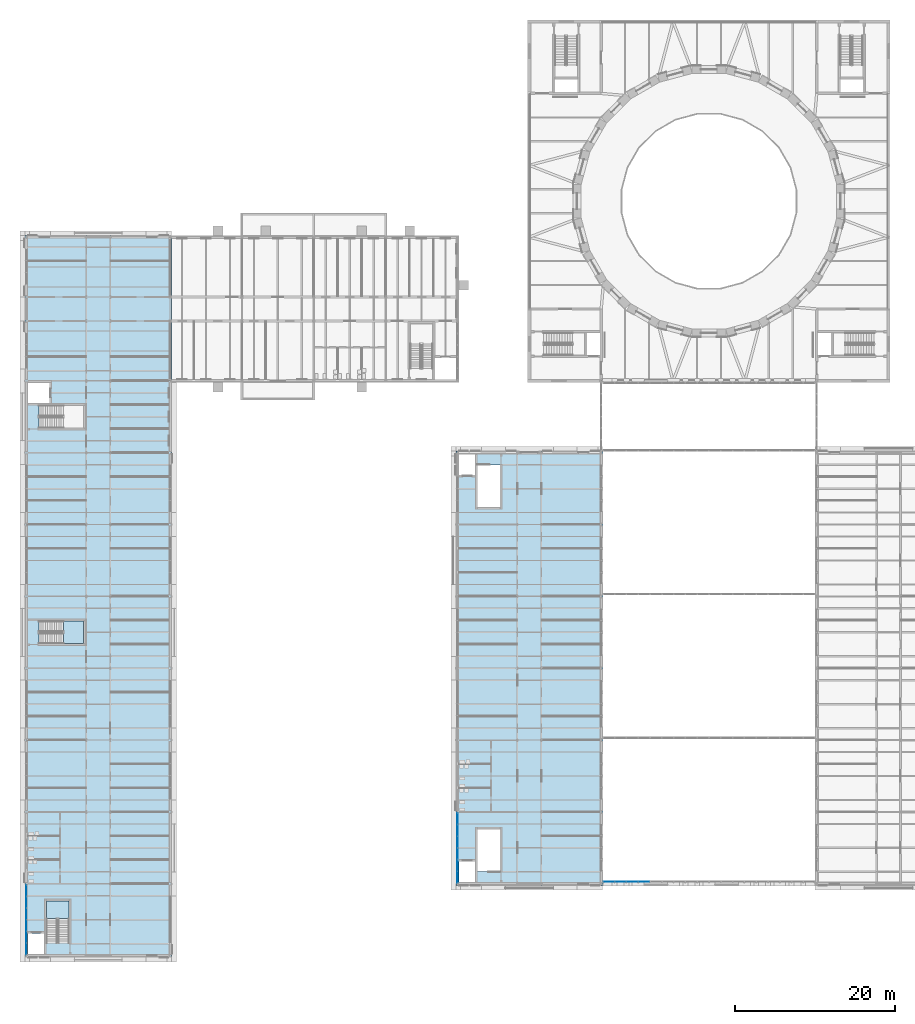
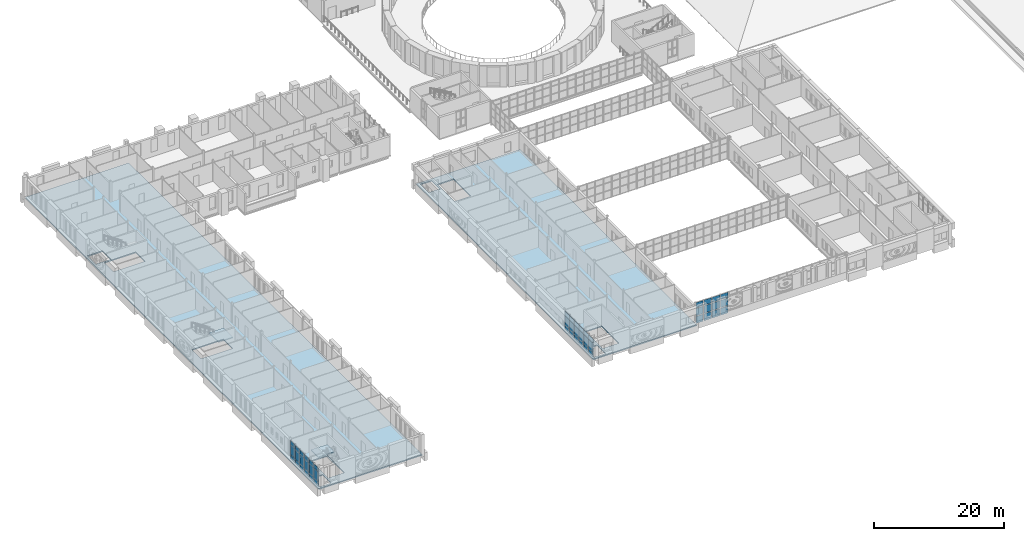
# One storey, part 87 of 154: 48 plates, 4 slabs, 5 elements without a shape of their own.
"""IFC4 building model written with IfcOpenShell, lengths in metres."""

import ifcopenshell
import ifcopenshell.guid

model = None  # the IFC model being written
_history = None  # IfcOwnerHistory: only IFC2X3 demands one
_inside = {}  # id of a spatial element -> (the spatial element, [elements in it])
_under = {}  # id of a project, library or spatial element -> (it, [spatial elements below it])
_declared = {}  # id of a project -> (the project, [libraries it declares])
_typed = {}  # id of a type object -> (the type object, [elements of that type])
_made_of = {}  # id of a material, layer set ... -> (it, [elements and type objects made of it])


def new_model(schema):
    """Start an empty IFC model of exactly this schema.

    Asked for "IFC4X3", IfcOpenShell would pick the latest addendum, in which some entities
    have other attributes; the version numbers below select the first issue.
    IFC2X3 requires an IfcOwnerHistory on every rooted entity: one is made here for all.
    """
    global model, _history
    if schema == "IFC4X3":
        model = ifcopenshell.file(schema_version=(4, 3, 0, 0))
    else:
        model = ifcopenshell.file(schema=schema)
    _inside.clear()
    _under.clear()
    _declared.clear()
    _typed.clear()
    _made_of.clear()
    _history = None
    if model.schema == "IFC2X3":
        org = make("IfcOrganization", Name="unknown")
        user = make(
            "IfcPersonAndOrganization",
            ThePerson=make("IfcPerson", FamilyName="unknown"),
            TheOrganization=org,
        )
        app = make(
            "IfcApplication",
            ApplicationDeveloper=org,
            Version="unknown",
            ApplicationFullName="unknown",
            ApplicationIdentifier="unknown",
        )
        _history = make(
            "IfcOwnerHistory",
            OwningUser=user,
            OwningApplication=app,
            ChangeAction="ADDED",
            CreationDate=0,
        )
    return model


def make(cls, **values):
    """One entity of the class cls with the attributes given. An attribute that is None is left unset."""
    return model.create_entity(
        cls, **{name: value for name, value in values.items() if value is not None}
    )


def rooted(cls, **values):
    """An entity with a GlobalId (a new one), such as an element, a storey or a relation."""
    return make(cls, GlobalId=ifcopenshell.guid.new(), OwnerHistory=_history, **values)


def si_unit(unit_type, name, prefix=None):
    """IfcSIUnit, for example si_unit("LENGTHUNIT", "METRE", prefix="MILLI")."""
    return make("IfcSIUnit", UnitType=unit_type, Prefix=prefix, Name=name)


def assignment(units):
    """IfcUnitAssignment: the units of a project."""
    return None if units is None else make("IfcUnitAssignment", Units=units)


def point(xyz):
    """IfcCartesianPoint."""
    return None if xyz is None else make("IfcCartesianPoint", Coordinates=xyz)


def direction(xyz):
    """IfcDirection."""
    return None if xyz is None else make("IfcDirection", DirectionRatios=xyz)


def frame(location, z_axis=None, x_axis=None):
    """IfcAxis2Placement3D, a coordinate frame: its origin and axes. An axis left out is left unset."""
    return make(
        "IfcAxis2Placement3D",
        Location=point(location),
        Axis=direction(z_axis),
        RefDirection=direction(x_axis),
    )


def frame_2d(location, x_axis=None):
    """IfcAxis2Placement2D, a coordinate frame in the plane: its origin and x axis."""
    return make(
        "IfcAxis2Placement2D", Location=point(location), RefDirection=direction(x_axis)
    )


def origin():
    """The frame at (0, 0, 0) with its axes left unset."""
    return frame((0.0, 0.0, 0.0))


def origin_2d():
    """The frame at (0, 0) in the plane with its x axis left unset."""
    return frame_2d((0.0, 0.0))


def place(relative_to, where):
    """IfcLocalPlacement: puts the frame where relative to a parent placement (None: the world)."""
    return make(
        "IfcLocalPlacement", PlacementRelTo=relative_to, RelativePlacement=where
    )


def context(
    kind, dimensions, precision=None, world=None, true_north=None, identifier=None
):
    """IfcGeometricRepresentationContext, for example the 3D "Model" context."""
    return make(
        "IfcGeometricRepresentationContext",
        ContextIdentifier=identifier,
        ContextType=kind,
        CoordinateSpaceDimension=dimensions,
        Precision=precision,
        WorldCoordinateSystem=world,
        TrueNorth=true_north,
    )


def subcontext(parent, identifier, kind, view, scale=None):
    """IfcGeometricRepresentationSubContext, for example "Body" below "Model"."""
    return make(
        "IfcGeometricRepresentationSubContext",
        ContextIdentifier=identifier,
        ContextType=kind,
        ParentContext=parent,
        TargetScale=scale,
        TargetView=view,
    )


def project(units=None, contexts=None):
    """IfcProject with its units and contexts."""
    return rooted(
        "IfcProject",
        Name="project",
        RepresentationContexts=contexts,
        UnitsInContext=assignment(units),
    )


def spatial(cls, under=None, at=None, **own):
    """A site, building, storey or space (cls), placed at a placement, below another one or the project."""
    s = rooted(cls, ObjectPlacement=at, **own)
    if under is not None:
        _under.setdefault(under.id(), (under, []))[1].append(s)
    return s


def polyline(points):
    """IfcPolyline through the points."""
    return make("IfcPolyline", Points=[point(p) for p in points])


def profile(cls, at=None, kind="AREA", **sizes):
    """A parametric profile (cls). Its sizes go by their IFC names, for example OverallWidth=200.0."""
    return make(cls, ProfileType=kind, Position=at, **sizes)


def rectangle(**sizes):
    """IfcRectangleProfileDef."""
    return profile("IfcRectangleProfileDef", **sizes)


def outline(outer, holes=None, kind="AREA"):
    """IfcArbitraryClosedProfileDef: a profile drawn as a closed curve; with holes, ...WithVoids."""
    if holes is None:
        return make("IfcArbitraryClosedProfileDef", ProfileType=kind, OuterCurve=outer)
    return make(
        "IfcArbitraryProfileDefWithVoids",
        ProfileType=kind,
        OuterCurve=outer,
        InnerCurves=holes,
    )


def extrude(swept, where, along, depth):
    """IfcExtrudedAreaSolid: the profile swept, set in the frame where, extruded along a direction by depth."""
    return make(
        "IfcExtrudedAreaSolid",
        SweptArea=swept,
        Position=where,
        ExtrudedDirection=direction(along),
        Depth=depth,
    )


def shape(context_of_items, identifier, shape_type, items):
    """IfcShapeRepresentation: the items that make up one representation, for example the "Body"."""
    return make(
        "IfcShapeRepresentation",
        ContextOfItems=context_of_items,
        RepresentationIdentifier=identifier,
        RepresentationType=shape_type,
        Items=items,
    )


def material(Name=None, Category=None):
    """IfcMaterial."""
    return make("IfcMaterial", Name=Name, Category=Category)


def layer(
    of_material, thickness, ventilated=None, Name=None, Category=None, Priority=None
):
    """IfcMaterialLayer: one layer of a wall or slab, of a material (None: an air gap)."""
    return make(
        "IfcMaterialLayer",
        Material=of_material,
        LayerThickness=thickness,
        IsVentilated=ventilated,
        Name=Name,
        Category=Category,
        Priority=Priority,
    )


def layer_set(layers, Name=None):
    """IfcMaterialLayerSet."""
    return make("IfcMaterialLayerSet", MaterialLayers=layers, LayerSetName=Name)


def made_of(thing, what):
    """Note that an element or type object is made of a material, layer set ...; save() writes the relation."""
    if what is not None:
        _made_of.setdefault(what.id(), (what, []))[1].append(thing)
    return thing


def type_object(cls, material=None, **own):
    """A type object (cls), such as IfcWallType, which elements share."""
    return made_of(rooted(cls, **own), material)


def element(
    cls,
    number,
    at=None,
    inside=None,
    cuts=None,
    type_object=None,
    material=None,
    context=None,
    identifier="Body",
    shape_type=None,
    held_by="IfcProductDefinitionShape",
    body=None,
    shapes=None,
    **own,
):
    """One element of the class cls, such as IfcWall. Its Tag is "e" and its number.

    at: its placement. inside: the storey or other place that contains it. cuts: it is an
    opening in that element (IfcRelVoidsElement). A single representation is given by context,
    identifier, shape_type and body (its items); several are given by shapes. held_by: the class
    of the entity that holds the representations. save() writes the other relations.
    """
    e = rooted(cls, Tag="e%d" % number, ObjectPlacement=at, **own)
    if body is not None:
        shapes = [shape(context, identifier, shape_type, body)]
    if shapes is not None:
        e.Representation = make(held_by, Representations=shapes)
    if inside is not None:
        _inside.setdefault(inside.id(), (inside, []))[1].append(e)
    if cuts is not None:
        rooted(
            "IfcRelVoidsElement", RelatingBuildingElement=cuts, RelatedOpeningElement=e
        )
    if type_object is not None:
        _typed.setdefault(type_object.id(), (type_object, []))[1].append(e)
    return made_of(e, material)


def aggregate(whole, parts):
    """IfcRelAggregates: a whole, such as a stair, and the parts it consists of."""
    return rooted("IfcRelAggregates", RelatingObject=whole, RelatedObjects=parts)


def save(model, path):
    """Write the relations noted so far, then the file.

    IfcRelAggregates (storeys below a building ...), IfcRelContainedInSpatialStructure (elements
    in a storey), IfcRelDefinesByType, IfcRelAssociatesMaterial and IfcRelDeclares: one each for
    every whole, place, type object, material and project.
    """
    for whole, parts in _under.values():
        aggregate(whole, parts)
    for where, things in _inside.values():
        rooted(
            "IfcRelContainedInSpatialStructure",
            RelatedElements=things,
            RelatingStructure=where,
        )
    for kind, things in _typed.values():
        rooted("IfcRelDefinesByType", RelatedObjects=things, RelatingType=kind)
    for what, things in _made_of.values():
        rooted("IfcRelAssociatesMaterial", RelatedObjects=things, RelatingMaterial=what)
    for by, libraries in _declared.values():
        rooted("IfcRelDeclares", RelatingContext=by, RelatedDefinitions=libraries)
    model.write(path)


model = new_model("IFC4")

# Units and contexts
model_context = context("Model", 3, precision=1e-05, world=origin(), true_north=direction((0.0, 1.0)))
body_context = subcontext(model_context, "Body", "Model", "MODEL_VIEW")
ifc_project = project(units=[si_unit("LENGTHUNIT", "METRE"), si_unit("AREAUNIT", "SQUARE_METRE"), si_unit("VOLUMEUNIT", "CUBIC_METRE"), si_unit("PLANEANGLEUNIT", "RADIAN"), si_unit("MASSUNIT", "GRAM", prefix="KILO")], contexts=[model_context])

# Site, building, storey
site_placement = place(None, origin())
site = spatial("IfcSite", under=ifc_project, at=site_placement, CompositionType="ELEMENT")
building_placement = place(site_placement, origin())
building = spatial("IfcBuilding", under=site, at=building_placement, Name="Golden Quay Civic Hall", CompositionType="ELEMENT")
storey_placement = place(building_placement, frame((0.0, 0.0, 14.39990234375)))
storey = spatial("IfcBuildingStorey", under=building, at=storey_placement, Name="L03", CompositionType="ELEMENT", Elevation=14.39990234375)

# Slabs
ifc_material_1 = material(Name="Concrete C35/45", Category="concrete")
ifc_layer_1 = layer(ifc_material_1, 0.199951171875)
ifc_layer_set_1 = layer_set([ifc_layer_1], Name="Composite floor 200")
slab_type_1 = type_object("IfcSlabType", Name="Composite floor 200", PredefinedType="FLOOR", material=ifc_layer_set_1)
slab_1_placement = place(storey_placement, frame((0.0, 0.0, -0.199951171875)))
element("IfcSlab", 1, at=slab_1_placement, inside=storey, type_object=slab_type_1, Name="WO floor L03", PredefinedType="FLOOR", context=body_context, shape_type="SweptSolid", body=[
    extrude(outline(polyline([(-0.199951171875, -9.199951171875), (-0.199951171875, 81.199951171875), (18.199951171875, 81.199951171875), (18.199951171875, -9.199951171875), (-0.199951171875, -9.199951171875)]), holes=[polyline([(5.35009765625, -2.14990234375), (2.5, -2.14990234375), (2.5, -7.445068359375), (5.35009765625, -7.445068359375), (5.35009765625, -2.14990234375)]), polyline([(2.25, -8.800048828125), (2.25, -6.199951171875), (0.199951171875, -6.199951171875), (0.199951171875, -8.800048828125), (2.25, -8.800048828125)]), polyline([(1.554931640625, 57.074951171875), (7.175048828125, 57.074951171875), (7.175048828125, 59.925048828125), (1.554931640625, 59.925048828125), (1.554931640625, 57.074951171875)]), polyline([(0.199951171875, 62.77490234375), (0.199951171875, 60.175048828125), (2.89990234375, 60.175048828125), (2.89990234375, 62.77490234375), (0.199951171875, 62.77490234375)]), polyline([(7.175048828125, 32.925048828125), (1.554931640625, 32.925048828125), (1.554931640625, 30.074951171875), (7.175048828125, 30.074951171875), (7.175048828125, 32.925048828125)])]), origin(), (0.0, 0.0, 1.0), 0.199951171875),
])
slab_2_placement = place(storey_placement, frame((0.0, 0.0, -0.199951171875)))
element("IfcSlab", 2, at=slab_2_placement, inside=storey, type_object=slab_type_1, Name="WM floor L03", PredefinedType="FLOOR", context=body_context, shape_type="SweptSolid", body=[
    extrude(outline(polyline([(72.199951171875, -0.199951171875), (53.800048828125, -0.199951171875), (53.800048828125, 54.199951171875), (72.199951171875, 54.199951171875), (72.199951171875, -0.199951171875)]), holes=[polyline([(59.35009765625, 1.554931640625), (59.35009765625, 6.85009765625), (56.5, 6.85009765625), (56.5, 1.554931640625), (59.35009765625, 1.554931640625)]), polyline([(54.199951171875, 0.199951171875), (56.25, 0.199951171875), (56.25, 2.800048828125), (54.199951171875, 2.800048828125), (54.199951171875, 0.199951171875)]), polyline([(56.5, 52.445068359375), (56.5, 47.14990234375), (59.35009765625, 47.14990234375), (59.35009765625, 52.445068359375), (56.5, 52.445068359375)]), polyline([(56.25, 53.800048828125), (54.199951171875, 53.800048828125), (54.199951171875, 51.199951171875), (56.25, 51.199951171875), (56.25, 53.800048828125)])]), origin(), (0.0, 0.0, 1.0), 0.199951171875),
])

# Stair, slab
ifc_material_2 = material(Name="Concrete C35/45", Category="concrete")
stair_type = type_object("IfcStairType", Name="Concrete stair 1350 wide 24 risers of 175.0", PredefinedType="HALF_TURN_STAIR", material=ifc_material_2)
stair_1_placement = place(storey_placement, origin())
stair_1 = element("IfcStair", 3, at=stair_1_placement, inside=storey, type_object=stair_type, Name="L03 Stair WO-S", PredefinedType="HALF_TURN_STAIR")
ifc_material_3 = material(Name="Concrete C35/45", Category="concrete")
ifc_layer_2 = layer(ifc_material_3, 0.199951171875)
ifc_layer_set_2 = layer_set([ifc_layer_2], Name="Concrete stair landing 200, Concrete C35/45")
slab_type_2 = type_object("IfcSlabType", Name="Concrete stair landing 200", PredefinedType="LANDING", material=ifc_layer_set_2)
slab_3_placement = place(storey_placement, frame((0.0, 0.0, 1.900146484375)))
slab_3 = element("IfcSlab", 4, at=slab_3_placement, type_object=slab_type_2, Name="WO-S landing 1", PredefinedType="LANDING", context=body_context, shape_type="SweptSolid", body=[
    extrude(outline(polyline([(5.35009765625, -4.3701171875), (5.35009765625, -2.14990234375), (2.5, -2.14990234375), (2.5, -4.3701171875), (5.35009765625, -4.3701171875)])), origin(), (0.0, 0.0, 1.0), 0.199951171875),
])
aggregate(stair_1, [slab_3])

stair_2_placement = place(storey_placement, origin())
stair_2 = element("IfcStair", 5, at=stair_2_placement, inside=storey, type_object=stair_type, Name="L03 Stair WO-M", PredefinedType="HALF_TURN_STAIR")
slab_4_placement = place(storey_placement, frame((0.0, 0.0, 1.900146484375)))
slab_4 = element("IfcSlab", 6, at=slab_4_placement, type_object=slab_type_2, Name="WO-M landing 1", PredefinedType="LANDING", context=body_context, shape_type="SweptSolid", body=[
    extrude(outline(polyline([(4.6298828125, 30.074951171875), (7.175048828125, 30.074951171875), (7.175048828125, 32.925048828125), (4.6298828125, 32.925048828125), (4.6298828125, 30.074951171875)])), origin(), (0.0, 0.0, 1.0), 0.199951171875),
])
aggregate(stair_2, [slab_4])

# Curtain wall, plates
ifc_material_4 = material(Name="Glass, laminated double glazed", Category="glass")
ifc_layer_3 = layer(ifc_material_4, 0.199951171875)
ifc_layer_set_3 = layer_set([ifc_layer_3], Name="Glazed core strip curtain wall")
curtain_wall_type_1 = type_object("IfcCurtainWallType", Name="Glazed core strip curtain wall", PredefinedType="NOTDEFINED", material=ifc_layer_set_3)
curtain_wall_1_placement = place(storey_placement, origin())
curtain_wall_1 = element("IfcCurtainWall", 7, at=curtain_wall_1_placement, inside=storey, type_object=curtain_wall_type_1, Name="Glazed core strip curtain wall L03 1", PredefinedType="NOTDEFINED")
ifc_material_5 = material(Name="Glass, laminated double glazed", Category="glass")
ifc_layer_4 = layer(ifc_material_5, 0.028076171875)
ifc_layer_set_4 = layer_set([ifc_layer_4], Name="Double glazed curtain wall panel 28")
plate_type_1 = type_object("IfcPlateType", Name="Double glazed curtain wall panel 28", PredefinedType="CURTAIN_PANEL", material=ifc_layer_set_4)
plate_1_placement = place(storey_placement, frame((0.0, -8.12255859375, 0.06005859375), z_axis=(0.0, 0.0, 1.0), x_axis=(0.0, 1.0, 0.0)))
plate_1 = element("IfcPlate", 8, at=plate_1_placement, type_object=plate_type_1, Name="CW2 panel 1.1", PredefinedType="CURTAIN_PANEL", context=body_context, shape_type="SweptSolid", body=[
    extrude(rectangle(XDim=1.364990234375, YDim=0.028076171875, at=origin_2d()), origin(), (0.0, 0.0, 1.0), 0.81005859375),
])
plate_2_placement = place(storey_placement, frame((0.0, -8.12255859375, 0.93017578125), z_axis=(0.0, 0.0, 1.0), x_axis=(0.0, 1.0, 0.0)))
plate_2 = element("IfcPlate", 9, at=plate_2_placement, type_object=plate_type_1, Name="CW2 panel 1.2", PredefinedType="CURTAIN_PANEL", context=body_context, shape_type="SweptSolid", body=[
    extrude(rectangle(XDim=1.364990234375, YDim=0.028076171875, at=origin_2d()), origin(), (0.0, 0.0, 1.0), 1.739990234375),
])
plate_3_placement = place(storey_placement, frame((0.0, -8.12255859375, 2.72998046875), z_axis=(0.0, 0.0, 1.0), x_axis=(0.0, 1.0, 0.0)))
plate_3 = element("IfcPlate", 10, at=plate_3_placement, type_object=plate_type_1, Name="CW2 panel 1.3", PredefinedType="CURTAIN_PANEL", context=body_context, shape_type="SweptSolid", body=[
    extrude(rectangle(XDim=1.364990234375, YDim=0.028076171875, at=origin_2d()), origin(), (0.0, 0.0, 1.0), 0.81005859375),
])
plate_4_placement = place(storey_placement, frame((0.0, -6.6826171875, 0.06005859375), z_axis=(0.0, 0.0, 1.0), x_axis=(0.0, 1.0, 0.0)))
plate_4 = element("IfcPlate", 11, at=plate_4_placement, type_object=plate_type_1, Name="CW2 panel 2.1", PredefinedType="CURTAIN_PANEL", context=body_context, shape_type="SweptSolid", body=[
    extrude(rectangle(XDim=1.39501953125, YDim=0.028076171875, at=origin_2d()), origin(), (0.0, 0.0, 1.0), 0.81005859375),
])
plate_5_placement = place(storey_placement, frame((0.0, -6.6826171875, 0.93017578125), z_axis=(0.0, 0.0, 1.0), x_axis=(0.0, 1.0, 0.0)))
plate_5 = element("IfcPlate", 12, at=plate_5_placement, type_object=plate_type_1, Name="CW2 panel 2.2", PredefinedType="CURTAIN_PANEL", context=body_context, shape_type="SweptSolid", body=[
    extrude(rectangle(XDim=1.39501953125, YDim=0.028076171875, at=origin_2d()), origin(), (0.0, 0.0, 1.0), 1.739990234375),
])
plate_6_placement = place(storey_placement, frame((0.0, -6.6826171875, 2.72998046875), z_axis=(0.0, 0.0, 1.0), x_axis=(0.0, 1.0, 0.0)))
plate_6 = element("IfcPlate", 13, at=plate_6_placement, type_object=plate_type_1, Name="CW2 panel 2.3", PredefinedType="CURTAIN_PANEL", context=body_context, shape_type="SweptSolid", body=[
    extrude(rectangle(XDim=1.39501953125, YDim=0.028076171875, at=origin_2d()), origin(), (0.0, 0.0, 1.0), 0.81005859375),
])
plate_7_placement = place(storey_placement, frame((0.0, -5.2275390625, 0.06005859375), z_axis=(0.0, 0.0, 1.0), x_axis=(0.0, 1.0, 0.0)))
plate_7 = element("IfcPlate", 14, at=plate_7_placement, type_object=plate_type_1, Name="CW2 panel 3.1", PredefinedType="CURTAIN_PANEL", context=body_context, shape_type="SweptSolid", body=[
    extrude(rectangle(XDim=1.39501953125, YDim=0.028076171875, at=origin_2d()), origin(), (0.0, 0.0, 1.0), 0.81005859375),
])
plate_8_placement = place(storey_placement, frame((0.0, -5.2275390625, 0.93017578125), z_axis=(0.0, 0.0, 1.0), x_axis=(0.0, 1.0, 0.0)))
plate_8 = element("IfcPlate", 15, at=plate_8_placement, type_object=plate_type_1, Name="CW2 panel 3.2", PredefinedType="CURTAIN_PANEL", context=body_context, shape_type="SweptSolid", body=[
    extrude(rectangle(XDim=1.39501953125, YDim=0.028076171875, at=origin_2d()), origin(), (0.0, 0.0, 1.0), 1.739990234375),
])
plate_9_placement = place(storey_placement, frame((0.0, -5.2275390625, 2.72998046875), z_axis=(0.0, 0.0, 1.0), x_axis=(0.0, 1.0, 0.0)))
plate_9 = element("IfcPlate", 16, at=plate_9_placement, type_object=plate_type_1, Name="CW2 panel 3.3", PredefinedType="CURTAIN_PANEL", context=body_context, shape_type="SweptSolid", body=[
    extrude(rectangle(XDim=1.39501953125, YDim=0.028076171875, at=origin_2d()), origin(), (0.0, 0.0, 1.0), 0.81005859375),
])
plate_10_placement = place(storey_placement, frame((0.0, -3.7724609375, 0.06005859375), z_axis=(0.0, 0.0, 1.0), x_axis=(0.0, 1.0, 0.0)))
plate_10 = element("IfcPlate", 17, at=plate_10_placement, type_object=plate_type_1, Name="CW2 panel 4.1", PredefinedType="CURTAIN_PANEL", context=body_context, shape_type="SweptSolid", body=[
    extrude(rectangle(XDim=1.39501953125, YDim=0.028076171875, at=origin_2d()), origin(), (0.0, 0.0, 1.0), 0.81005859375),
])
plate_11_placement = place(storey_placement, frame((0.0, -3.7724609375, 0.93017578125), z_axis=(0.0, 0.0, 1.0), x_axis=(0.0, 1.0, 0.0)))
plate_11 = element("IfcPlate", 18, at=plate_11_placement, type_object=plate_type_1, Name="CW2 panel 4.2", PredefinedType="CURTAIN_PANEL", context=body_context, shape_type="SweptSolid", body=[
    extrude(rectangle(XDim=1.39501953125, YDim=0.028076171875, at=origin_2d()), origin(), (0.0, 0.0, 1.0), 1.739990234375),
])
plate_12_placement = place(storey_placement, frame((0.0, -3.7724609375, 2.72998046875), z_axis=(0.0, 0.0, 1.0), x_axis=(0.0, 1.0, 0.0)))
plate_12 = element("IfcPlate", 19, at=plate_12_placement, type_object=plate_type_1, Name="CW2 panel 4.3", PredefinedType="CURTAIN_PANEL", context=body_context, shape_type="SweptSolid", body=[
    extrude(rectangle(XDim=1.39501953125, YDim=0.028076171875, at=origin_2d()), origin(), (0.0, 0.0, 1.0), 0.81005859375),
])
plate_13_placement = place(storey_placement, frame((0.0, -2.3173828125, 0.06005859375), z_axis=(0.0, 0.0, 1.0), x_axis=(0.0, 1.0, 0.0)))
plate_13 = element("IfcPlate", 20, at=plate_13_placement, type_object=plate_type_1, Name="CW2 panel 5.1", PredefinedType="CURTAIN_PANEL", context=body_context, shape_type="SweptSolid", body=[
    extrude(rectangle(XDim=1.39501953125, YDim=0.028076171875, at=origin_2d()), origin(), (0.0, 0.0, 1.0), 0.81005859375),
])
plate_14_placement = place(storey_placement, frame((0.0, -2.3173828125, 0.93017578125), z_axis=(0.0, 0.0, 1.0), x_axis=(0.0, 1.0, 0.0)))
plate_14 = element("IfcPlate", 21, at=plate_14_placement, type_object=plate_type_1, Name="CW2 panel 5.2", PredefinedType="CURTAIN_PANEL", context=body_context, shape_type="SweptSolid", body=[
    extrude(rectangle(XDim=1.39501953125, YDim=0.028076171875, at=origin_2d()), origin(), (0.0, 0.0, 1.0), 1.739990234375),
])
plate_15_placement = place(storey_placement, frame((0.0, -2.3173828125, 2.72998046875), z_axis=(0.0, 0.0, 1.0), x_axis=(0.0, 1.0, 0.0)))
plate_15 = element("IfcPlate", 22, at=plate_15_placement, type_object=plate_type_1, Name="CW2 panel 5.3", PredefinedType="CURTAIN_PANEL", context=body_context, shape_type="SweptSolid", body=[
    extrude(rectangle(XDim=1.39501953125, YDim=0.028076171875, at=origin_2d()), origin(), (0.0, 0.0, 1.0), 0.81005859375),
])
plate_16_placement = place(storey_placement, frame((0.0, -0.87744140625, 0.06005859375), z_axis=(0.0, 0.0, 1.0), x_axis=(0.0, 1.0, 0.0)))
plate_16 = element("IfcPlate", 23, at=plate_16_placement, type_object=plate_type_1, Name="CW2 panel 6.1", PredefinedType="CURTAIN_PANEL", context=body_context, shape_type="SweptSolid", body=[
    extrude(rectangle(XDim=1.364990234375, YDim=0.028076171875, at=origin_2d()), origin(), (0.0, 0.0, 1.0), 0.81005859375),
])
plate_17_placement = place(storey_placement, frame((0.0, -0.87744140625, 0.93017578125), z_axis=(0.0, 0.0, 1.0), x_axis=(0.0, 1.0, 0.0)))
plate_17 = element("IfcPlate", 24, at=plate_17_placement, type_object=plate_type_1, Name="CW2 panel 6.2", PredefinedType="CURTAIN_PANEL", context=body_context, shape_type="SweptSolid", body=[
    extrude(rectangle(XDim=1.364990234375, YDim=0.028076171875, at=origin_2d()), origin(), (0.0, 0.0, 1.0), 1.739990234375),
])
plate_18_placement = place(storey_placement, frame((0.0, -0.87744140625, 2.72998046875), z_axis=(0.0, 0.0, 1.0), x_axis=(0.0, 1.0, 0.0)))
plate_18 = element("IfcPlate", 25, at=plate_18_placement, type_object=plate_type_1, Name="CW2 panel 6.3", PredefinedType="CURTAIN_PANEL", context=body_context, shape_type="SweptSolid", body=[
    extrude(rectangle(XDim=1.364990234375, YDim=0.028076171875, at=origin_2d()), origin(), (0.0, 0.0, 1.0), 0.81005859375),
])
aggregate(curtain_wall_1, [plate_1, plate_2, plate_3, plate_4, plate_5, plate_6, plate_7, plate_8, plate_9, plate_10, plate_11, plate_12, plate_13, plate_14, plate_15, plate_16, plate_17, plate_18])

curtain_wall_2_placement = place(storey_placement, origin())
curtain_wall_2 = element("IfcCurtainWall", 26, at=curtain_wall_2_placement, inside=storey, type_object=curtain_wall_type_1, Name="Glazed core strip curtain wall L03 3", PredefinedType="NOTDEFINED")
plate_19_placement = place(storey_placement, frame((54.0, 0.84423828125, 0.06005859375), z_axis=(0.0, 0.0, 1.0), x_axis=(0.0, 1.0, 0.0)))
plate_19 = element("IfcPlate", 27, at=plate_19_placement, type_object=plate_type_1, Name="CW2 panel 1.1", PredefinedType="CURTAIN_PANEL", context=body_context, shape_type="SweptSolid", body=[
    extrude(rectangle(XDim=1.37841796875, YDim=0.028076171875, at=origin_2d()), origin(), (0.0, 0.0, 1.0), 0.81005859375),
])
plate_20_placement = place(storey_placement, frame((54.0, 0.84423828125, 0.93017578125), z_axis=(0.0, 0.0, 1.0), x_axis=(0.0, 1.0, 0.0)))
plate_20 = element("IfcPlate", 28, at=plate_20_placement, type_object=plate_type_1, Name="CW2 panel 1.2", PredefinedType="CURTAIN_PANEL", context=body_context, shape_type="SweptSolid", body=[
    extrude(rectangle(XDim=1.37841796875, YDim=0.028076171875, at=origin_2d()), origin(), (0.0, 0.0, 1.0), 1.739990234375),
])
plate_21_placement = place(storey_placement, frame((54.0, 0.84423828125, 2.72998046875), z_axis=(0.0, 0.0, 1.0), x_axis=(0.0, 1.0, 0.0)))
plate_21 = element("IfcPlate", 29, at=plate_21_placement, type_object=plate_type_1, Name="CW2 panel 1.3", PredefinedType="CURTAIN_PANEL", context=body_context, shape_type="SweptSolid", body=[
    extrude(rectangle(XDim=1.37841796875, YDim=0.028076171875, at=origin_2d()), origin(), (0.0, 0.0, 1.0), 0.760009765625),
])
plate_22_placement = place(storey_placement, frame((54.0, 2.297607421875, 0.06005859375), z_axis=(0.0, 0.0, 1.0), x_axis=(0.0, 1.0, 0.0)))
plate_22 = element("IfcPlate", 30, at=plate_22_placement, type_object=plate_type_1, Name="CW2 panel 2.1", PredefinedType="CURTAIN_PANEL", context=body_context, shape_type="SweptSolid", body=[
    extrude(rectangle(XDim=1.408447265625, YDim=0.028076171875, at=origin_2d()), origin(), (0.0, 0.0, 1.0), 0.81005859375),
])
plate_23_placement = place(storey_placement, frame((54.0, 2.297607421875, 0.93017578125), z_axis=(0.0, 0.0, 1.0), x_axis=(0.0, 1.0, 0.0)))
plate_23 = element("IfcPlate", 31, at=plate_23_placement, type_object=plate_type_1, Name="CW2 panel 2.2", PredefinedType="CURTAIN_PANEL", context=body_context, shape_type="SweptSolid", body=[
    extrude(rectangle(XDim=1.408447265625, YDim=0.028076171875, at=origin_2d()), origin(), (0.0, 0.0, 1.0), 1.739990234375),
])
plate_24_placement = place(storey_placement, frame((54.0, 2.297607421875, 2.72998046875), z_axis=(0.0, 0.0, 1.0), x_axis=(0.0, 1.0, 0.0)))
plate_24 = element("IfcPlate", 32, at=plate_24_placement, type_object=plate_type_1, Name="CW2 panel 2.3", PredefinedType="CURTAIN_PANEL", context=body_context, shape_type="SweptSolid", body=[
    extrude(rectangle(XDim=1.408447265625, YDim=0.028076171875, at=origin_2d()), origin(), (0.0, 0.0, 1.0), 0.760009765625),
])
plate_25_placement = place(storey_placement, frame((54.0, 3.765869140625, 0.06005859375), z_axis=(0.0, 0.0, 1.0), x_axis=(0.0, 1.0, 0.0)))
plate_25 = element("IfcPlate", 33, at=plate_25_placement, type_object=plate_type_1, Name="CW2 panel 3.1", PredefinedType="CURTAIN_PANEL", context=body_context, shape_type="SweptSolid", body=[
    extrude(rectangle(XDim=1.408447265625, YDim=0.028076171875, at=origin_2d()), origin(), (0.0, 0.0, 1.0), 0.81005859375),
])
plate_26_placement = place(storey_placement, frame((54.0, 3.765869140625, 0.93017578125), z_axis=(0.0, 0.0, 1.0), x_axis=(0.0, 1.0, 0.0)))
plate_26 = element("IfcPlate", 34, at=plate_26_placement, type_object=plate_type_1, Name="CW2 panel 3.2", PredefinedType="CURTAIN_PANEL", context=body_context, shape_type="SweptSolid", body=[
    extrude(rectangle(XDim=1.408447265625, YDim=0.028076171875, at=origin_2d()), origin(), (0.0, 0.0, 1.0), 1.739990234375),
])
plate_27_placement = place(storey_placement, frame((54.0, 3.765869140625, 2.72998046875), z_axis=(0.0, 0.0, 1.0), x_axis=(0.0, 1.0, 0.0)))
plate_27 = element("IfcPlate", 35, at=plate_27_placement, type_object=plate_type_1, Name="CW2 panel 3.3", PredefinedType="CURTAIN_PANEL", context=body_context, shape_type="SweptSolid", body=[
    extrude(rectangle(XDim=1.408447265625, YDim=0.028076171875, at=origin_2d()), origin(), (0.0, 0.0, 1.0), 0.760009765625),
])
plate_28_placement = place(storey_placement, frame((54.0, 5.234130859375, 0.06005859375), z_axis=(0.0, 0.0, 1.0), x_axis=(0.0, 1.0, 0.0)))
plate_28 = element("IfcPlate", 36, at=plate_28_placement, type_object=plate_type_1, Name="CW2 panel 4.1", PredefinedType="CURTAIN_PANEL", context=body_context, shape_type="SweptSolid", body=[
    extrude(rectangle(XDim=1.408447265625, YDim=0.028076171875, at=origin_2d()), origin(), (0.0, 0.0, 1.0), 0.81005859375),
])
plate_29_placement = place(storey_placement, frame((54.0, 5.234130859375, 0.93017578125), z_axis=(0.0, 0.0, 1.0), x_axis=(0.0, 1.0, 0.0)))
plate_29 = element("IfcPlate", 37, at=plate_29_placement, type_object=plate_type_1, Name="CW2 panel 4.2", PredefinedType="CURTAIN_PANEL", context=body_context, shape_type="SweptSolid", body=[
    extrude(rectangle(XDim=1.408447265625, YDim=0.028076171875, at=origin_2d()), origin(), (0.0, 0.0, 1.0), 1.739990234375),
])
plate_30_placement = place(storey_placement, frame((54.0, 5.234130859375, 2.72998046875), z_axis=(0.0, 0.0, 1.0), x_axis=(0.0, 1.0, 0.0)))
plate_30 = element("IfcPlate", 38, at=plate_30_placement, type_object=plate_type_1, Name="CW2 panel 4.3", PredefinedType="CURTAIN_PANEL", context=body_context, shape_type="SweptSolid", body=[
    extrude(rectangle(XDim=1.408447265625, YDim=0.028076171875, at=origin_2d()), origin(), (0.0, 0.0, 1.0), 0.760009765625),
])
plate_31_placement = place(storey_placement, frame((54.0, 6.702392578125, 0.06005859375), z_axis=(0.0, 0.0, 1.0), x_axis=(0.0, 1.0, 0.0)))
plate_31 = element("IfcPlate", 39, at=plate_31_placement, type_object=plate_type_1, Name="CW2 panel 5.1", PredefinedType="CURTAIN_PANEL", context=body_context, shape_type="SweptSolid", body=[
    extrude(rectangle(XDim=1.408447265625, YDim=0.028076171875, at=origin_2d()), origin(), (0.0, 0.0, 1.0), 0.81005859375),
])
plate_32_placement = place(storey_placement, frame((54.0, 6.702392578125, 0.93017578125), z_axis=(0.0, 0.0, 1.0), x_axis=(0.0, 1.0, 0.0)))
plate_32 = element("IfcPlate", 40, at=plate_32_placement, type_object=plate_type_1, Name="CW2 panel 5.2", PredefinedType="CURTAIN_PANEL", context=body_context, shape_type="SweptSolid", body=[
    extrude(rectangle(XDim=1.408447265625, YDim=0.028076171875, at=origin_2d()), origin(), (0.0, 0.0, 1.0), 1.739990234375),
])
plate_33_placement = place(storey_placement, frame((54.0, 6.702392578125, 2.72998046875), z_axis=(0.0, 0.0, 1.0), x_axis=(0.0, 1.0, 0.0)))
plate_33 = element("IfcPlate", 41, at=plate_33_placement, type_object=plate_type_1, Name="CW2 panel 5.3", PredefinedType="CURTAIN_PANEL", context=body_context, shape_type="SweptSolid", body=[
    extrude(rectangle(XDim=1.408447265625, YDim=0.028076171875, at=origin_2d()), origin(), (0.0, 0.0, 1.0), 0.760009765625),
])
plate_34_placement = place(storey_placement, frame((54.0, 8.15576171875, 0.06005859375), z_axis=(0.0, 0.0, 1.0), x_axis=(0.0, 1.0, 0.0)))
plate_34 = element("IfcPlate", 42, at=plate_34_placement, type_object=plate_type_1, Name="CW2 panel 6.1", PredefinedType="CURTAIN_PANEL", context=body_context, shape_type="SweptSolid", body=[
    extrude(rectangle(XDim=1.37841796875, YDim=0.028076171875, at=origin_2d()), origin(), (0.0, 0.0, 1.0), 0.81005859375),
])
plate_35_placement = place(storey_placement, frame((54.0, 8.15576171875, 0.93017578125), z_axis=(0.0, 0.0, 1.0), x_axis=(0.0, 1.0, 0.0)))
plate_35 = element("IfcPlate", 43, at=plate_35_placement, type_object=plate_type_1, Name="CW2 panel 6.2", PredefinedType="CURTAIN_PANEL", context=body_context, shape_type="SweptSolid", body=[
    extrude(rectangle(XDim=1.37841796875, YDim=0.028076171875, at=origin_2d()), origin(), (0.0, 0.0, 1.0), 1.739990234375),
])
plate_36_placement = place(storey_placement, frame((54.0, 8.15576171875, 2.72998046875), z_axis=(0.0, 0.0, 1.0), x_axis=(0.0, 1.0, 0.0)))
plate_36 = element("IfcPlate", 44, at=plate_36_placement, type_object=plate_type_1, Name="CW2 panel 6.3", PredefinedType="CURTAIN_PANEL", context=body_context, shape_type="SweptSolid", body=[
    extrude(rectangle(XDim=1.37841796875, YDim=0.028076171875, at=origin_2d()), origin(), (0.0, 0.0, 1.0), 0.760009765625),
])
aggregate(curtain_wall_2, [plate_19, plate_20, plate_21, plate_22, plate_23, plate_24, plate_25, plate_26, plate_27, plate_28, plate_29, plate_30, plate_31, plate_32, plate_33, plate_34, plate_35, plate_36])

ifc_material_6 = material(Name="Glass and aluminium", Category="aluminium")
curtain_wall_type_2 = type_object("IfcCurtainWallType", Name="Glazed curtain wall 1500 module", PredefinedType="NOTDEFINED", material=ifc_material_6)
curtain_wall_3_placement = place(storey_placement, origin())
curtain_wall_3 = element("IfcCurtainWall", 45, at=curtain_wall_3_placement, inside=storey, type_object=curtain_wall_type_2, Name="CW1 curtain wall", PredefinedType="NOTDEFINED")
ifc_material_7 = material(Name="Laminated glass", Category="glass")
ifc_layer_5 = layer(ifc_material_7, 0.028076171875)
ifc_layer_set_5 = layer_set([ifc_layer_5], Name="Laminated glass panel 28")
plate_type_2 = type_object("IfcPlateType", Name="Laminated glass panel 28", PredefinedType="CURTAIN_PANEL", material=ifc_layer_set_5)
plate_37_placement = place(storey_placement, frame((72.968994140625, 0.27001953125, -0.080078125), z_axis=(0.0, 0.0, 1.0), x_axis=(1.0, 0.0, 0.0)))
plate_37 = element("IfcPlate", 46, at=plate_37_placement, type_object=plate_type_2, Name="CW1 panel 1.1", PredefinedType="CURTAIN_PANEL", context=body_context, shape_type="SweptSolid", body=[
    extrude(rectangle(XDim=1.2978515625, YDim=0.028076171875, at=origin_2d()), origin(), (0.0, 0.0, 1.0), 1.320068359375),
])
plate_38_placement = place(storey_placement, frame((72.968994140625, 0.27001953125, 1.360107421875), z_axis=(0.0, 0.0, 1.0), x_axis=(1.0, 0.0, 0.0)))
plate_38 = element("IfcPlate", 47, at=plate_38_placement, type_object=plate_type_2, Name="CW1 panel 1.2", PredefinedType="CURTAIN_PANEL", context=body_context, shape_type="SweptSolid", body=[
    extrude(rectangle(XDim=1.2978515625, YDim=0.028076171875, at=origin_2d()), origin(), (0.0, 0.0, 1.0), 1.3798828125),
])
plate_39_placement = place(storey_placement, frame((72.968994140625, 0.27001953125, 2.8603515625), z_axis=(0.0, 0.0, 1.0), x_axis=(1.0, 0.0, 0.0)))
plate_39 = element("IfcPlate", 48, at=plate_39_placement, type_object=plate_type_2, Name="CW1 panel 1.3", PredefinedType="CURTAIN_PANEL", context=body_context, shape_type="SweptSolid", body=[
    extrude(rectangle(XDim=1.2978515625, YDim=0.028076171875, at=origin_2d()), origin(), (0.0, 0.0, 1.0), 0.969970703125),
])
plate_40_placement = place(storey_placement, frame((74.416748046875, 0.27001953125, -0.080078125), z_axis=(0.0, 0.0, 1.0), x_axis=(1.0, 0.0, 0.0)))
plate_40 = element("IfcPlate", 49, at=plate_40_placement, type_object=plate_type_2, Name="CW1 panel 2.1", PredefinedType="CURTAIN_PANEL", context=body_context, shape_type="SweptSolid", body=[
    extrude(rectangle(XDim=1.357666015625, YDim=0.028076171875, at=origin_2d()), origin(), (0.0, 0.0, 1.0), 1.320068359375),
])
plate_41_placement = place(storey_placement, frame((74.416748046875, 0.27001953125, 1.360107421875), z_axis=(0.0, 0.0, 1.0), x_axis=(1.0, 0.0, 0.0)))
plate_41 = element("IfcPlate", 50, at=plate_41_placement, type_object=plate_type_2, Name="CW1 panel 2.2", PredefinedType="CURTAIN_PANEL", context=body_context, shape_type="SweptSolid", body=[
    extrude(rectangle(XDim=1.357666015625, YDim=0.028076171875, at=origin_2d()), origin(), (0.0, 0.0, 1.0), 1.3798828125),
])
plate_42_placement = place(storey_placement, frame((74.416748046875, 0.27001953125, 2.8603515625), z_axis=(0.0, 0.0, 1.0), x_axis=(1.0, 0.0, 0.0)))
plate_42 = element("IfcPlate", 51, at=plate_42_placement, type_object=plate_type_2, Name="CW1 panel 2.3", PredefinedType="CURTAIN_PANEL", context=body_context, shape_type="SweptSolid", body=[
    extrude(rectangle(XDim=1.357666015625, YDim=0.028076171875, at=origin_2d()), origin(), (0.0, 0.0, 1.0), 0.969970703125),
])
plate_43_placement = place(storey_placement, frame((75.89453125, 0.27001953125, -0.080078125), z_axis=(0.0, 0.0, 1.0), x_axis=(1.0, 0.0, 0.0)))
plate_43 = element("IfcPlate", 52, at=plate_43_placement, type_object=plate_type_2, Name="CW1 panel 3.1", PredefinedType="CURTAIN_PANEL", context=body_context, shape_type="SweptSolid", body=[
    extrude(rectangle(XDim=1.357666015625, YDim=0.028076171875, at=origin_2d()), origin(), (0.0, 0.0, 1.0), 1.320068359375),
])
plate_44_placement = place(storey_placement, frame((75.89453125, 0.27001953125, 1.360107421875), z_axis=(0.0, 0.0, 1.0), x_axis=(1.0, 0.0, 0.0)))
plate_44 = element("IfcPlate", 53, at=plate_44_placement, type_object=plate_type_2, Name="CW1 panel 3.2", PredefinedType="CURTAIN_PANEL", context=body_context, shape_type="SweptSolid", body=[
    extrude(rectangle(XDim=1.357666015625, YDim=0.028076171875, at=origin_2d()), origin(), (0.0, 0.0, 1.0), 1.3798828125),
])
plate_45_placement = place(storey_placement, frame((75.89453125, 0.27001953125, 2.8603515625), z_axis=(0.0, 0.0, 1.0), x_axis=(1.0, 0.0, 0.0)))
plate_45 = element("IfcPlate", 54, at=plate_45_placement, type_object=plate_type_2, Name="CW1 panel 3.3", PredefinedType="CURTAIN_PANEL", context=body_context, shape_type="SweptSolid", body=[
    extrude(rectangle(XDim=1.357666015625, YDim=0.028076171875, at=origin_2d()), origin(), (0.0, 0.0, 1.0), 0.969970703125),
])
plate_46_placement = place(storey_placement, frame((77.372314453125, 0.27001953125, -0.080078125), z_axis=(0.0, 0.0, 1.0), x_axis=(1.0, 0.0, 0.0)))
plate_46 = element("IfcPlate", 55, at=plate_46_placement, type_object=plate_type_2, Name="CW1 panel 4.1", PredefinedType="CURTAIN_PANEL", context=body_context, shape_type="SweptSolid", body=[
    extrude(rectangle(XDim=1.357666015625, YDim=0.028076171875, at=origin_2d()), origin(), (0.0, 0.0, 1.0), 1.320068359375),
])
plate_47_placement = place(storey_placement, frame((77.372314453125, 0.27001953125, 1.360107421875), z_axis=(0.0, 0.0, 1.0), x_axis=(1.0, 0.0, 0.0)))
plate_47 = element("IfcPlate", 56, at=plate_47_placement, type_object=plate_type_2, Name="CW1 panel 4.2", PredefinedType="CURTAIN_PANEL", context=body_context, shape_type="SweptSolid", body=[
    extrude(rectangle(XDim=1.357666015625, YDim=0.028076171875, at=origin_2d()), origin(), (0.0, 0.0, 1.0), 1.3798828125),
])
plate_48_placement = place(storey_placement, frame((77.372314453125, 0.27001953125, 2.8603515625), z_axis=(0.0, 0.0, 1.0), x_axis=(1.0, 0.0, 0.0)))
plate_48 = element("IfcPlate", 57, at=plate_48_placement, type_object=plate_type_2, Name="CW1 panel 4.3", PredefinedType="CURTAIN_PANEL", context=body_context, shape_type="SweptSolid", body=[
    extrude(rectangle(XDim=1.357666015625, YDim=0.028076171875, at=origin_2d()), origin(), (0.0, 0.0, 1.0), 0.969970703125),
])
aggregate(curtain_wall_3, [plate_37, plate_38, plate_39, plate_40, plate_41, plate_42, plate_43, plate_44, plate_45, plate_46, plate_47, plate_48])

save(model, "model.ifc")
